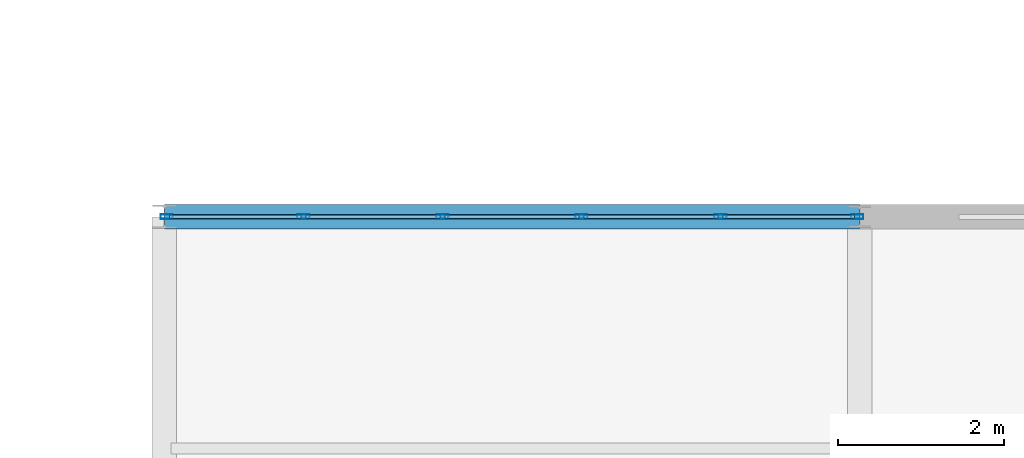
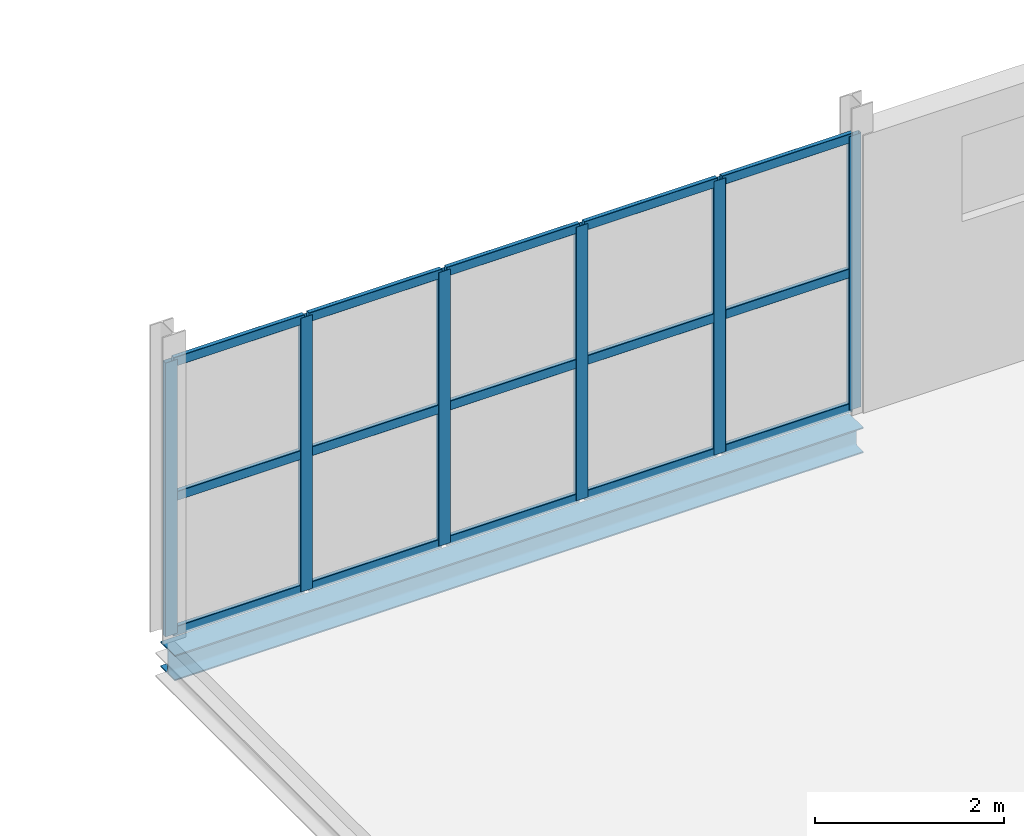
# One storey, part 73 of 163: 21 members, 1 beam, 1 element without a shape of its own.
"""IFC4 building model written with IfcOpenShell, lengths in metres."""

from ifc_helpers import new_model, si_unit, direction, frame, origin, origin_2d, place, context, subcontext, project, spatial, hollow_rectangle, i_section, extrude, material, layer, layer_set, material_profile, profile_set, type_object, element, aggregate, save


model = new_model("IFC4")

# Units and contexts
model_context = context("Model", 3, precision=1e-05, world=origin(), true_north=direction((0.0, 1.0)))
body_context = subcontext(model_context, "Body", "Model", "MODEL_VIEW")
ifc_project = project(units=[si_unit("LENGTHUNIT", "METRE"), si_unit("AREAUNIT", "SQUARE_METRE"), si_unit("VOLUMEUNIT", "CUBIC_METRE"), si_unit("PLANEANGLEUNIT", "RADIAN"), si_unit("MASSUNIT", "GRAM", prefix="KILO")], contexts=[model_context])

# Site, building, storey
site_placement = place(None, origin())
site = spatial("IfcSite", under=ifc_project, at=site_placement, CompositionType="ELEMENT")
building_placement = place(site_placement, origin())
building = spatial("IfcBuilding", under=site, at=building_placement, Name="Qalvenar Corner Mobility Hub", CompositionType="ELEMENT")
storey_placement = place(building_placement, frame((0.0, 0.0, 4.800048828125)))
storey = spatial("IfcBuildingStorey", under=building, at=storey_placement, Name="L01", CompositionType="ELEMENT", Elevation=4.800048828125)

# Beam
ifc_material_1 = material(Name="Steel S355", Category="steel")
ifc_material_profile_1 = material_profile(ifc_material_1, i_section(OverallWidth=0.300048828125, OverallDepth=0.330078125, WebThickness=0.009521484375, FlangeThickness=0.0166015625, FilletRadius=0.027099609375, at=origin_2d()), Name="HEA340")
ifc_profile_set_1 = profile_set([ifc_material_profile_1], Name="Steel S355")
beam_type = type_object("IfcBeamType", Name="BM-SPN340", PredefinedType="SPANDREL", material=ifc_profile_set_1)
beam_placement = place(storey_placement, frame((109.199951171875, 50.39990234375, -0.344970703125), z_axis=(1.0, 0.0, 0.0), x_axis=(0.0, 1.0, 0.0)))
element("IfcBeam", 1, at=beam_placement, inside=storey, type_object=beam_type, Name="Primary Steel Girder GX-1020", PredefinedType="SPANDREL", context=body_context, shape_type="SweptSolid", body=[
    extrude(i_section(OverallWidth=0.300048828125, OverallDepth=0.330078125, WebThickness=0.009521484375, FlangeThickness=0.0166015625, FilletRadius=0.027099609375, at=origin_2d()), origin(), (0.0, 0.0, 1.0), 8.400146484375),
])

# Curtain wall, members
ifc_material_2 = material(Name="Anodised Aluminium and Low-E Glazing", Category="aluminium")
ifc_layer = layer(ifc_material_2, 0.14990234375)
ifc_layer_set = layer_set([ifc_layer], Name="Anodised Aluminium and Low-E Glazing")
curtain_wall_type = type_object("IfcCurtainWallType", Name="CW-WKS-84X44", PredefinedType="NOTDEFINED", material=ifc_layer_set)
curtain_wall_placement = place(storey_placement, origin())
curtain_wall = element("IfcCurtainWall", 2, at=curtain_wall_placement, inside=storey, type_object=curtain_wall_type, Name="Glazed Curtain Wall CW-V6-L01-N0", PredefinedType="NOTDEFINED")
ifc_material_3 = material(Name="Anodised Aluminium 6063-T6", Category="aluminium")
ifc_material_profile_2 = material_profile(ifc_material_3, hollow_rectangle(XDim=0.06005859375, YDim=0.14990234375, WallThickness=0.00390625, InnerFilletRadius=0.00390625, OuterFilletRadius=0.008056640625, at=origin_2d()), Name="RHS150x60x4")
ifc_profile_set_2 = profile_set([ifc_material_profile_2], Name="Anodised Aluminium 6063-T6")
member_type_1 = type_object("IfcMemberType", Name="CW-MUL150", PredefinedType="MULLION", material=ifc_profile_set_2)
member_1_placement = place(storey_placement, frame((117.570068359375, 50.39990234375, 0.0), z_axis=(0.0, 0.0, 1.0), x_axis=(0.0, -1.0, 0.0)))
member_1 = element("IfcMember", 3, at=member_1_placement, type_object=member_type_1, Name="CW-09 mullion 1", PredefinedType="MULLION", context=body_context, shape_type="SweptSolid", body=[
    extrude(hollow_rectangle(XDim=0.06005859375, YDim=0.14990234375, WallThickness=0.00390625, InnerFilletRadius=0.00390625, OuterFilletRadius=0.008056640625, at=origin_2d()), origin(), (0.0, 0.0, 1.0), 3.530029296875),
])
member_2_placement = place(storey_placement, frame((115.919921875, 50.39990234375, 0.0), z_axis=(0.0, 0.0, 1.0), x_axis=(0.0, -1.0, 0.0)))
member_2 = element("IfcMember", 4, at=member_2_placement, type_object=member_type_1, Name="CW-09 mullion 2", PredefinedType="MULLION", context=body_context, shape_type="SweptSolid", body=[
    extrude(hollow_rectangle(XDim=0.06005859375, YDim=0.14990234375, WallThickness=0.00390625, InnerFilletRadius=0.00390625, OuterFilletRadius=0.008056640625, at=origin_2d()), origin(), (0.0, 0.0, 1.0), 3.530029296875),
])
member_3_placement = place(storey_placement, frame((114.239990234375, 50.39990234375, 0.0), z_axis=(0.0, 0.0, 1.0), x_axis=(0.0, -1.0, 0.0)))
member_3 = element("IfcMember", 5, at=member_3_placement, type_object=member_type_1, Name="CW-09 mullion 3", PredefinedType="MULLION", context=body_context, shape_type="SweptSolid", body=[
    extrude(hollow_rectangle(XDim=0.06005859375, YDim=0.14990234375, WallThickness=0.00390625, InnerFilletRadius=0.00390625, OuterFilletRadius=0.008056640625, at=origin_2d()), origin(), (0.0, 0.0, 1.0), 3.530029296875),
])
member_4_placement = place(storey_placement, frame((112.56005859375, 50.39990234375, 0.0), z_axis=(0.0, 0.0, 1.0), x_axis=(0.0, -1.0, 0.0)))
member_4 = element("IfcMember", 6, at=member_4_placement, type_object=member_type_1, Name="CW-09 mullion 4", PredefinedType="MULLION", context=body_context, shape_type="SweptSolid", body=[
    extrude(hollow_rectangle(XDim=0.06005859375, YDim=0.14990234375, WallThickness=0.00390625, InnerFilletRadius=0.00390625, OuterFilletRadius=0.008056640625, at=origin_2d()), origin(), (0.0, 0.0, 1.0), 3.530029296875),
])
member_5_placement = place(storey_placement, frame((110.8798828125, 50.39990234375, 0.0), z_axis=(0.0, 0.0, 1.0), x_axis=(0.0, -1.0, 0.0)))
member_5 = element("IfcMember", 7, at=member_5_placement, type_object=member_type_1, Name="CW-09 mullion 5", PredefinedType="MULLION", context=body_context, shape_type="SweptSolid", body=[
    extrude(hollow_rectangle(XDim=0.06005859375, YDim=0.14990234375, WallThickness=0.00390625, InnerFilletRadius=0.00390625, OuterFilletRadius=0.008056640625, at=origin_2d()), origin(), (0.0, 0.0, 1.0), 3.530029296875),
])
member_6_placement = place(storey_placement, frame((109.22998046875, 50.39990234375, 0.0), z_axis=(0.0, 0.0, 1.0), x_axis=(0.0, -1.0, 0.0)))
member_6 = element("IfcMember", 8, at=member_6_placement, type_object=member_type_1, Name="CW-09 mullion 6", PredefinedType="MULLION", context=body_context, shape_type="SweptSolid", body=[
    extrude(hollow_rectangle(XDim=0.06005859375, YDim=0.14990234375, WallThickness=0.00390625, InnerFilletRadius=0.00390625, OuterFilletRadius=0.008056640625, at=origin_2d()), origin(), (0.0, 0.0, 1.0), 3.530029296875),
])
ifc_material_profile_3 = material_profile(ifc_material_3, hollow_rectangle(XDim=0.054931640625, YDim=0.1201171875, WallThickness=0.00341796875, InnerFilletRadius=0.00341796875, OuterFilletRadius=0.007080078125, at=origin_2d()), Name="RHS120x55x3.5")
ifc_profile_set_3 = profile_set([ifc_material_profile_3], Name="Anodised Aluminium 6063-T6")
member_type_2 = type_object("IfcMemberType", Name="CW-TRN120", PredefinedType="USERDEFINED", material=ifc_profile_set_3)
member_7_placement = place(storey_placement, frame((117.5400390625, 50.39990234375, 0.02734375), z_axis=(-1.0, 0.0, 0.0), x_axis=(0.0, -1.0, 0.0)))
member_7 = element("IfcMember", 9, at=member_7_placement, type_object=member_type_2, Name="CW-09 transom 1.1", ObjectType="TRANSOM", PredefinedType="USERDEFINED", context=body_context, shape_type="SweptSolid", body=[
    extrude(hollow_rectangle(XDim=0.054931640625, YDim=0.1201171875, WallThickness=0.00341796875, InnerFilletRadius=0.00341796875, OuterFilletRadius=0.007080078125, at=origin_2d()), origin(), (0.0, 0.0, 1.0), 1.590087890625),
])
member_8_placement = place(storey_placement, frame((117.5400390625, 50.39990234375, 1.764892578125), z_axis=(-1.0, 0.0, 0.0), x_axis=(0.0, -1.0, 0.0)))
member_8 = element("IfcMember", 10, at=member_8_placement, type_object=member_type_2, Name="CW-09 transom 1.2", ObjectType="TRANSOM", PredefinedType="USERDEFINED", context=body_context, shape_type="SweptSolid", body=[
    extrude(hollow_rectangle(XDim=0.054931640625, YDim=0.1201171875, WallThickness=0.00341796875, InnerFilletRadius=0.00341796875, OuterFilletRadius=0.007080078125, at=origin_2d()), origin(), (0.0, 0.0, 1.0), 1.590087890625),
])
member_9_placement = place(storey_placement, frame((117.5400390625, 50.39990234375, 3.50244140625), z_axis=(-1.0, 0.0, 0.0), x_axis=(0.0, -1.0, 0.0)))
member_9 = element("IfcMember", 11, at=member_9_placement, type_object=member_type_2, Name="CW-09 transom 1.3", ObjectType="TRANSOM", PredefinedType="USERDEFINED", context=body_context, shape_type="SweptSolid", body=[
    extrude(hollow_rectangle(XDim=0.054931640625, YDim=0.1201171875, WallThickness=0.00341796875, InnerFilletRadius=0.00341796875, OuterFilletRadius=0.007080078125, at=origin_2d()), origin(), (0.0, 0.0, 1.0), 1.590087890625),
])
member_10_placement = place(storey_placement, frame((115.889892578125, 50.39990234375, 0.02734375), z_axis=(-1.0, 0.0, 0.0), x_axis=(0.0, -1.0, 0.0)))
member_10 = element("IfcMember", 12, at=member_10_placement, type_object=member_type_2, Name="CW-09 transom 2.1", ObjectType="TRANSOM", PredefinedType="USERDEFINED", context=body_context, shape_type="SweptSolid", body=[
    extrude(hollow_rectangle(XDim=0.054931640625, YDim=0.1201171875, WallThickness=0.00341796875, InnerFilletRadius=0.00341796875, OuterFilletRadius=0.007080078125, at=origin_2d()), origin(), (0.0, 0.0, 1.0), 1.619873046875),
])
member_11_placement = place(storey_placement, frame((115.889892578125, 50.39990234375, 1.764892578125), z_axis=(-1.0, 0.0, 0.0), x_axis=(0.0, -1.0, 0.0)))
member_11 = element("IfcMember", 13, at=member_11_placement, type_object=member_type_2, Name="CW-09 transom 2.2", ObjectType="TRANSOM", PredefinedType="USERDEFINED", context=body_context, shape_type="SweptSolid", body=[
    extrude(hollow_rectangle(XDim=0.054931640625, YDim=0.1201171875, WallThickness=0.00341796875, InnerFilletRadius=0.00341796875, OuterFilletRadius=0.007080078125, at=origin_2d()), origin(), (0.0, 0.0, 1.0), 1.619873046875),
])
member_12_placement = place(storey_placement, frame((115.889892578125, 50.39990234375, 3.50244140625), z_axis=(-1.0, 0.0, 0.0), x_axis=(0.0, -1.0, 0.0)))
member_12 = element("IfcMember", 14, at=member_12_placement, type_object=member_type_2, Name="CW-09 transom 2.3", ObjectType="TRANSOM", PredefinedType="USERDEFINED", context=body_context, shape_type="SweptSolid", body=[
    extrude(hollow_rectangle(XDim=0.054931640625, YDim=0.1201171875, WallThickness=0.00341796875, InnerFilletRadius=0.00341796875, OuterFilletRadius=0.007080078125, at=origin_2d()), origin(), (0.0, 0.0, 1.0), 1.619873046875),
])
member_13_placement = place(storey_placement, frame((114.2099609375, 50.39990234375, 0.02734375), z_axis=(-1.0, 0.0, 0.0), x_axis=(0.0, -1.0, 0.0)))
member_13 = element("IfcMember", 15, at=member_13_placement, type_object=member_type_2, Name="CW-09 transom 3.1", ObjectType="TRANSOM", PredefinedType="USERDEFINED", context=body_context, shape_type="SweptSolid", body=[
    extrude(hollow_rectangle(XDim=0.054931640625, YDim=0.1201171875, WallThickness=0.00341796875, InnerFilletRadius=0.00341796875, OuterFilletRadius=0.007080078125, at=origin_2d()), origin(), (0.0, 0.0, 1.0), 1.619873046875),
])
member_14_placement = place(storey_placement, frame((114.2099609375, 50.39990234375, 1.764892578125), z_axis=(-1.0, 0.0, 0.0), x_axis=(0.0, -1.0, 0.0)))
member_14 = element("IfcMember", 16, at=member_14_placement, type_object=member_type_2, Name="CW-09 transom 3.2", ObjectType="TRANSOM", PredefinedType="USERDEFINED", context=body_context, shape_type="SweptSolid", body=[
    extrude(hollow_rectangle(XDim=0.054931640625, YDim=0.1201171875, WallThickness=0.00341796875, InnerFilletRadius=0.00341796875, OuterFilletRadius=0.007080078125, at=origin_2d()), origin(), (0.0, 0.0, 1.0), 1.619873046875),
])
member_15_placement = place(storey_placement, frame((114.2099609375, 50.39990234375, 3.50244140625), z_axis=(-1.0, 0.0, 0.0), x_axis=(0.0, -1.0, 0.0)))
member_15 = element("IfcMember", 17, at=member_15_placement, type_object=member_type_2, Name="CW-09 transom 3.3", ObjectType="TRANSOM", PredefinedType="USERDEFINED", context=body_context, shape_type="SweptSolid", body=[
    extrude(hollow_rectangle(XDim=0.054931640625, YDim=0.1201171875, WallThickness=0.00341796875, InnerFilletRadius=0.00341796875, OuterFilletRadius=0.007080078125, at=origin_2d()), origin(), (0.0, 0.0, 1.0), 1.619873046875),
])
member_16_placement = place(storey_placement, frame((112.530029296875, 50.39990234375, 0.02734375), z_axis=(-1.0, 0.0, 0.0), x_axis=(0.0, -1.0, 0.0)))
member_16 = element("IfcMember", 18, at=member_16_placement, type_object=member_type_2, Name="CW-09 transom 4.1", ObjectType="TRANSOM", PredefinedType="USERDEFINED", context=body_context, shape_type="SweptSolid", body=[
    extrude(hollow_rectangle(XDim=0.054931640625, YDim=0.1201171875, WallThickness=0.00341796875, InnerFilletRadius=0.00341796875, OuterFilletRadius=0.007080078125, at=origin_2d()), origin(), (0.0, 0.0, 1.0), 1.6201171875),
])
member_17_placement = place(storey_placement, frame((112.530029296875, 50.39990234375, 1.764892578125), z_axis=(-1.0, 0.0, 0.0), x_axis=(0.0, -1.0, 0.0)))
member_17 = element("IfcMember", 19, at=member_17_placement, type_object=member_type_2, Name="CW-09 transom 4.2", ObjectType="TRANSOM", PredefinedType="USERDEFINED", context=body_context, shape_type="SweptSolid", body=[
    extrude(hollow_rectangle(XDim=0.054931640625, YDim=0.1201171875, WallThickness=0.00341796875, InnerFilletRadius=0.00341796875, OuterFilletRadius=0.007080078125, at=origin_2d()), origin(), (0.0, 0.0, 1.0), 1.6201171875),
])
member_18_placement = place(storey_placement, frame((112.530029296875, 50.39990234375, 3.50244140625), z_axis=(-1.0, 0.0, 0.0), x_axis=(0.0, -1.0, 0.0)))
member_18 = element("IfcMember", 20, at=member_18_placement, type_object=member_type_2, Name="CW-09 transom 4.3", ObjectType="TRANSOM", PredefinedType="USERDEFINED", context=body_context, shape_type="SweptSolid", body=[
    extrude(hollow_rectangle(XDim=0.054931640625, YDim=0.1201171875, WallThickness=0.00341796875, InnerFilletRadius=0.00341796875, OuterFilletRadius=0.007080078125, at=origin_2d()), origin(), (0.0, 0.0, 1.0), 1.6201171875),
])
member_19_placement = place(storey_placement, frame((110.85009765625, 50.39990234375, 0.02734375), z_axis=(-1.0, 0.0, 0.0), x_axis=(0.0, -1.0, 0.0)))
member_19 = element("IfcMember", 21, at=member_19_placement, type_object=member_type_2, Name="CW-09 transom 5.1", ObjectType="TRANSOM", PredefinedType="USERDEFINED", context=body_context, shape_type="SweptSolid", body=[
    extrude(hollow_rectangle(XDim=0.054931640625, YDim=0.1201171875, WallThickness=0.00341796875, InnerFilletRadius=0.00341796875, OuterFilletRadius=0.007080078125, at=origin_2d()), origin(), (0.0, 0.0, 1.0), 1.590087890625),
])
member_20_placement = place(storey_placement, frame((110.85009765625, 50.39990234375, 1.764892578125), z_axis=(-1.0, 0.0, 0.0), x_axis=(0.0, -1.0, 0.0)))
member_20 = element("IfcMember", 22, at=member_20_placement, type_object=member_type_2, Name="CW-09 transom 5.2", ObjectType="TRANSOM", PredefinedType="USERDEFINED", context=body_context, shape_type="SweptSolid", body=[
    extrude(hollow_rectangle(XDim=0.054931640625, YDim=0.1201171875, WallThickness=0.00341796875, InnerFilletRadius=0.00341796875, OuterFilletRadius=0.007080078125, at=origin_2d()), origin(), (0.0, 0.0, 1.0), 1.590087890625),
])
member_21_placement = place(storey_placement, frame((110.85009765625, 50.39990234375, 3.50244140625), z_axis=(-1.0, 0.0, 0.0), x_axis=(0.0, -1.0, 0.0)))
member_21 = element("IfcMember", 23, at=member_21_placement, type_object=member_type_2, Name="CW-09 transom 5.3", ObjectType="TRANSOM", PredefinedType="USERDEFINED", context=body_context, shape_type="SweptSolid", body=[
    extrude(hollow_rectangle(XDim=0.054931640625, YDim=0.1201171875, WallThickness=0.00341796875, InnerFilletRadius=0.00341796875, OuterFilletRadius=0.007080078125, at=origin_2d()), origin(), (0.0, 0.0, 1.0), 1.590087890625),
])
aggregate(curtain_wall, [member_1, member_2, member_3, member_4, member_5, member_6, member_7, member_8, member_9, member_10, member_11, member_12, member_13, member_14, member_15, member_16, member_17, member_18, member_19, member_20, member_21])

save(model, "model.ifc")
